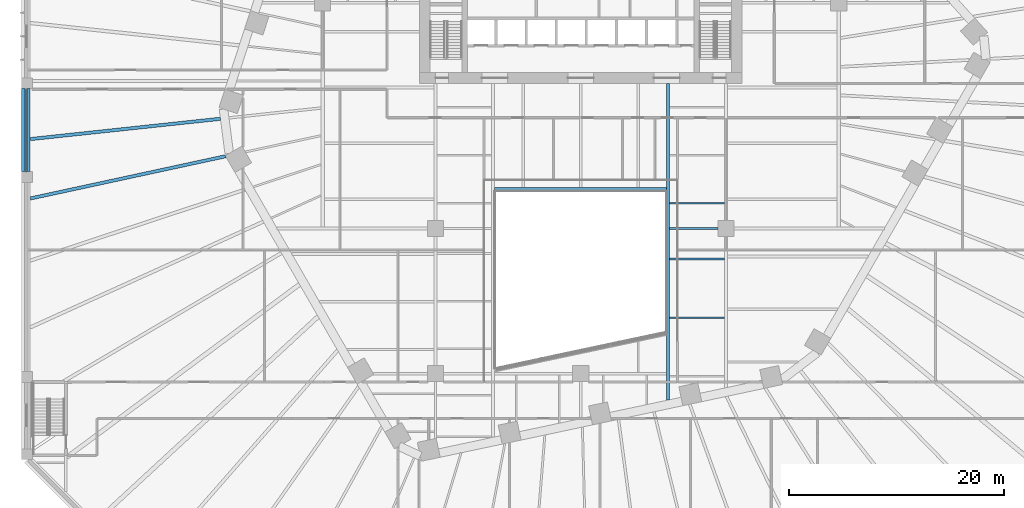
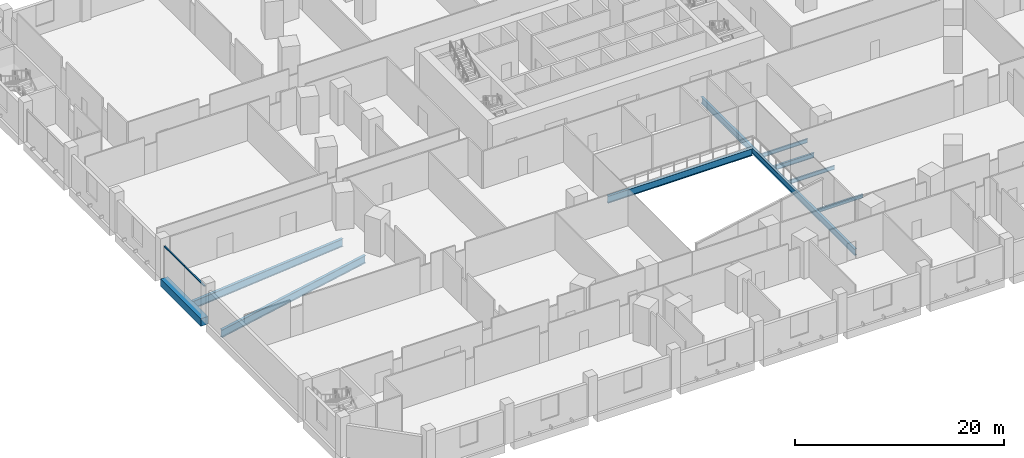
# One storey, part 4 of 33: 9 beams, 2 members, 1 element without a shape of its own.
"""IFC4 building model written with IfcOpenShell, lengths in metres."""

from ifc_helpers import new_model, si_unit, direction, frame, origin, origin_2d, place, context, subcontext, project, spatial, rectangle, i_section, extrude, material, layer, layer_set, material_profile, profile_set, type_object, element, aggregate, save


model = new_model("IFC4")

# Units and contexts
model_context = context("Model", 3, precision=1e-05, world=origin(), true_north=direction((0.0, 1.0)))
body_context = subcontext(model_context, "Body", "Model", "MODEL_VIEW")
ifc_project = project(units=[si_unit("LENGTHUNIT", "METRE"), si_unit("AREAUNIT", "SQUARE_METRE"), si_unit("VOLUMEUNIT", "CUBIC_METRE"), si_unit("PLANEANGLEUNIT", "RADIAN"), si_unit("MASSUNIT", "GRAM", prefix="KILO")], contexts=[model_context])

# Site, building, storey
site_placement = place(None, origin())
site = spatial("IfcSite", under=ifc_project, at=site_placement, CompositionType="ELEMENT")
building_placement = place(site_placement, origin())
building = spatial("IfcBuilding", under=site, at=building_placement, Name="Isthmus Gate Tower", CompositionType="ELEMENT")
storey_placement = place(building_placement, frame((0.0, 0.0, 31.5)))
storey = spatial("IfcBuildingStorey", under=building, at=storey_placement, Name="L05", CompositionType="ELEMENT", Elevation=31.5)

# Curtain wall, members
ifc_material_1 = material(Name="Aluminium, pale champagne anodised", Category="aluminium")
ifc_layer = layer(ifc_material_1, 0.14990234375)
ifc_layer_set = layer_set([ifc_layer], Name="CW-3 STOREFRONT CURTAIN WALL 150 DEEP")
curtain_wall_type = type_object("IfcCurtainWallType", Name="CW-3 STOREFRONT CURTAIN WALL 150 DEEP", PredefinedType="NOTDEFINED", material=ifc_layer_set)
curtain_wall_placement = place(storey_placement, origin())
curtain_wall = element("IfcCurtainWall", 1, at=curtain_wall_placement, inside=storey, type_object=curtain_wall_type, Name="CW-3 W L05", PredefinedType="NOTDEFINED")
ifc_material_2 = material(Name="Aluminium, pale champagne anodised", Category="aluminium")
ifc_material_profile_1 = material_profile(ifc_material_2, rectangle(XDim=0.14990234375, YDim=0.1201171875, at=origin_2d()), Name="150x120")
ifc_profile_set_1 = profile_set([ifc_material_profile_1], Name="Aluminium, pale champagne anodised")
member_type = type_object("IfcMemberType", Name="CW-3 TRANSOM 150 X 120", PredefinedType="USERDEFINED", material=ifc_profile_set_1)
member_1_placement = place(storey_placement, frame((-51.574951171875, -0.56005859375, 3.389892578125), z_axis=(0.0, -1.0, 0.0), x_axis=(1.0, 0.0, 0.0)))
member_1 = element("IfcMember", 2, at=member_1_placement, type_object=member_type, Name="CW-3 transom", ObjectType="TRANSOM", PredefinedType="USERDEFINED", context=body_context, shape_type="SweptSolid", body=[
    extrude(rectangle(XDim=0.14990234375, YDim=0.1201171875, at=origin_2d()), origin(), (0.0, 0.0, 1.0), 3.7900390625),
])
member_2_placement = place(storey_placement, frame((-51.574951171875, -4.35009765625, 3.389892578125), z_axis=(0.0, -1.0, 0.0), x_axis=(1.0, 0.0, 0.0)))
member_2 = element("IfcMember", 3, at=member_2_placement, type_object=member_type, Name="CW-3 transom", ObjectType="TRANSOM", PredefinedType="USERDEFINED", context=body_context, shape_type="SweptSolid", body=[
    extrude(rectangle(XDim=0.14990234375, YDim=0.1201171875, at=origin_2d()), origin(), (0.0, 0.0, 1.0), 3.849853515625),
])
aggregate(curtain_wall, [member_1, member_2])

# Beams
ifc_material_3 = material(Name="Concrete f'c 70 MPa", Category="concrete")
ifc_material_profile_2 = material_profile(ifc_material_3, rectangle(XDim=0.800048828125, YDim=0.89990234375, at=origin_2d()), Name="RC 800X900")
ifc_profile_set_2 = profile_set([ifc_material_profile_2], Name="Concrete f'c 70 MPa")
beam_type_1 = type_object("IfcBeamType", Name="RC EDGE BEAM 800 X 900", PredefinedType="BEAM", material=ifc_profile_set_2)
beam_1_placement = place(storey_placement, frame((-51.60009765625, -8.199951171875, -0.75), z_axis=(0.0, 1.0, 0.0), x_axis=(-1.0, 0.0, 0.0)))
element("IfcBeam", 4, at=beam_1_placement, inside=storey, type_object=beam_type_1, Name="str-edgebeam-L05-03", PredefinedType="BEAM", context=body_context, shape_type="SweptSolid", body=[
    extrude(rectangle(XDim=0.800048828125, YDim=0.89990234375, at=origin_2d()), origin(), (0.0, 0.0, 1.0), 7.699951171875),
])
ifc_material_4 = material(Name="Structural steel ASTM A992 Gr 50", Category="steel")
ifc_material_profile_3 = material_profile(ifc_material_4, i_section(OverallWidth=0.15234375, OverallDepth=0.45068359375, WebThickness=0.0078125, FlangeThickness=0.010986328125, at=origin_2d()), Name="W18X35")
ifc_profile_set_3 = profile_set([ifc_material_profile_3], Name="Structural steel ASTM A992 Gr 50")
beam_type_2 = type_object("IfcBeamType", Name="STEEL FLOOR BEAM W18X35", PredefinedType="JOIST", material=ifc_profile_set_3)
for number, where, z_axis, x_axis, name in (
    (5, (8.263427734375, -21.792724609375, -0.525390625), (1.0, 0.0, 0.0), (0.0, 1.0, 0.0), "str-beam-L05-25-01"),
    (6, (8.263427734375, -16.334228515625, -0.525390625), (1.0, 0.0, 0.0), (0.0, 1.0, 0.0), "str-beam-L05-25-02"),
):
    element("IfcBeam", number, at=place(storey_placement, frame(where, z_axis=z_axis, x_axis=x_axis)), inside=storey, type_object=beam_type_2, Name=name, PredefinedType="JOIST", context=body_context, shape_type="SweptSolid", body=[
        extrude(i_section(OverallWidth=0.15234375, OverallDepth=0.45068359375, WebThickness=0.0078125, FlangeThickness=0.010986328125, at=origin_2d()), origin(), (0.0, 0.0, 1.0), 5.103271484375),
    ])
beam_2_placement = place(storey_placement, frame((8.263427734375, -11.16259765625, -0.525390625), z_axis=(1.0, 0.0, 0.0), x_axis=(0.0, 1.0, 0.0)))
element("IfcBeam", 7, at=beam_2_placement, inside=storey, type_object=beam_type_2, Name="str-beam-L05-26-00", PredefinedType="JOIST", context=body_context, shape_type="SweptSolid", body=[
    extrude(i_section(OverallWidth=0.15234375, OverallDepth=0.45068359375, WebThickness=0.0078125, FlangeThickness=0.010986328125, at=origin_2d()), origin(), (0.0, 0.0, 1.0), 5.104736328125),
])
ifc_material_5 = material(Name="Structural steel ASTM A992 Gr 50", Category="steel")
ifc_material_profile_4 = material_profile(ifc_material_5, i_section(OverallWidth=0.3046875, OverallDepth=0.901611328125, WebThickness=0.015869140625, FlangeThickness=0.0205078125, at=origin_2d()), Name="W36X135")
ifc_profile_set_4 = profile_set([ifc_material_profile_4], Name="Structural steel ASTM A992 Gr 50")
beam_type_3 = type_object("IfcBeamType", Name="STEEL FLOOR BEAM W36X135", PredefinedType="JOIST", material=ifc_profile_set_4)
beam_3_placement = place(storey_placement, frame((-33.51123046875, -3.297119140625, -0.750732421875), z_axis=(-0.994335031987, -0.106291317444, 0.0), x_axis=(0.106291317444, -0.994335031987, 0.0)))
element("IfcBeam", 8, at=beam_3_placement, inside=storey, type_object=beam_type_3, Name="str-beam-L05-19-36", PredefinedType="JOIST", context=body_context, shape_type="SweptSolid", body=[
    extrude(i_section(OverallWidth=0.3046875, OverallDepth=0.901611328125, WebThickness=0.015869140625, FlangeThickness=0.0205078125, at=origin_2d()), origin(), (0.0, 0.0, 1.0), 17.78955078125),
])
beam_4_placement = place(storey_placement, frame((-33.03466796875, -6.782470703125, -0.750732421875), z_axis=(-0.977404850841, -0.211375867951, 0.0), x_axis=(0.211375867951, -0.977404850841, 0.0)))
element("IfcBeam", 9, at=beam_4_placement, inside=storey, type_object=beam_type_3, Name="str-beam-L05-19-38", PredefinedType="JOIST", context=body_context, shape_type="SweptSolid", body=[
    extrude(i_section(OverallWidth=0.3046875, OverallDepth=0.901611328125, WebThickness=0.015869140625, FlangeThickness=0.0205078125, at=origin_2d()), origin(), (0.0, 0.0, 1.0), 18.585205078125),
])
ifc_material_6 = material(Name="Structural steel ASTM A992 Gr 50", Category="steel")
ifc_material_profile_5 = material_profile(ifc_material_6, i_section(OverallWidth=0.20947265625, OverallDepth=0.533447265625, WebThickness=0.009521484375, FlangeThickness=0.015869140625, at=origin_2d()), Name="W21X62")
ifc_profile_set_5 = profile_set([ifc_material_profile_5], Name="Structural steel ASTM A992 Gr 50")
beam_type_4 = type_object("IfcBeamType", Name="STEEL GIRDER W21X62", PredefinedType="BEAM", material=ifc_profile_set_5)
beam_5_placement = place(storey_placement, frame((8.263427734375, -13.5, -0.566650390625), z_axis=(1.0, 0.0, 0.0), x_axis=(0.0, 1.0, 0.0)))
element("IfcBeam", 10, at=beam_5_placement, inside=storey, type_object=beam_type_4, Name="str-girder-L05-07", PredefinedType="BEAM", context=body_context, shape_type="SweptSolid", body=[
    extrude(i_section(OverallWidth=0.20947265625, OverallDepth=0.533447265625, WebThickness=0.009521484375, FlangeThickness=0.015869140625, at=origin_2d()), origin(), (0.0, 0.0, 1.0), 4.486572265625),
])
ifc_material_7 = material(Name="Structural steel ASTM A992 Gr 50", Category="steel")
ifc_material_profile_6 = material_profile(ifc_material_7, i_section(OverallWidth=0.263427734375, OverallDepth=0.749267578125, WebThickness=0.0126953125, FlangeThickness=0.015869140625, at=origin_2d()), Name="W30X90")
ifc_profile_set_6 = profile_set([ifc_material_profile_6], Name="Structural steel ASTM A992 Gr 50")
beam_type_5 = type_object("IfcBeamType", Name="STEEL TRIMMER W30X90", PredefinedType="BEAM", material=ifc_profile_set_6)
beam_6_placement = place(storey_placement, frame((8.1318359375, -29.45361328125, -0.674560546875), z_axis=(0.0, 1.0, 0.0), x_axis=(-1.0, 0.0, 0.0)))
element("IfcBeam", 11, at=beam_6_placement, inside=storey, type_object=beam_type_5, Name="str-trimmer-L05-01", PredefinedType="BEAM", context=body_context, shape_type="SweptSolid", body=[
    extrude(i_section(OverallWidth=0.263427734375, OverallDepth=0.749267578125, WebThickness=0.0126953125, FlangeThickness=0.015869140625, at=origin_2d()), origin(), (0.0, 0.0, 1.0), 29.45361328125),
])
ifc_material_8 = material(Name="Structural steel ASTM A992 Gr 50", Category="steel")
ifc_material_profile_7 = material_profile(ifc_material_8, i_section(OverallWidth=0.2919921875, OverallDepth=0.8349609375, WebThickness=0.014404296875, FlangeThickness=0.01904296875, at=origin_2d()), Name="W33X118")
ifc_profile_set_7 = profile_set([ifc_material_profile_7], Name="Structural steel ASTM A992 Gr 50")
beam_type_6 = type_object("IfcBeamType", Name="STEEL TRIMMER W33X118", PredefinedType="BEAM", material=ifc_profile_set_7)
beam_7_placement = place(storey_placement, frame((8.0, -9.85400390625, -0.717529296875), z_axis=(-1.0, 0.0, 0.0), x_axis=(0.0, -1.0, 0.0)))
element("IfcBeam", 12, at=beam_7_placement, inside=storey, type_object=beam_type_6, Name="str-trimmer-L05-12", PredefinedType="BEAM", context=body_context, shape_type="SweptSolid", body=[
    extrude(i_section(OverallWidth=0.2919921875, OverallDepth=0.8349609375, WebThickness=0.014404296875, FlangeThickness=0.01904296875, at=origin_2d()), origin(), (0.0, 0.0, 1.0), 16.0),
])

save(model, "model.ifc")
